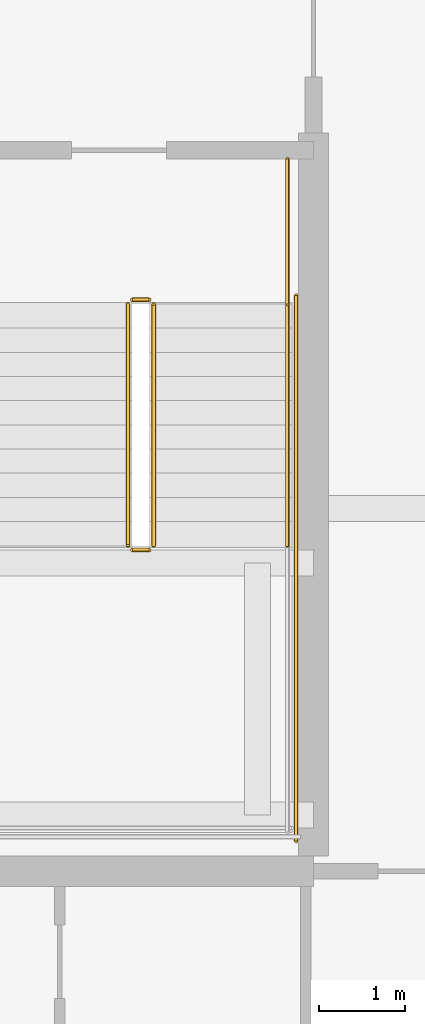
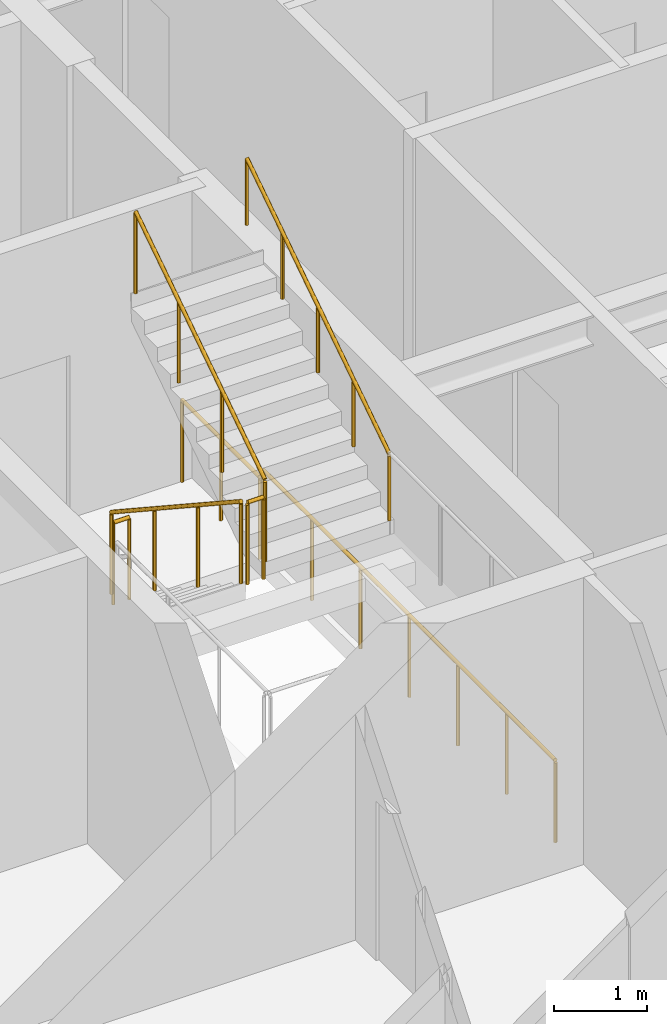
# One storey, part 37 of 38: 7 railings.
"""IFC4 building model written with IfcOpenShell, lengths in metres."""

from ifc_helpers import new_model, si_unit, direction, frame, origin, origin_2d, place, context, subcontext, project, spatial, circle, extrude, material, type_object, element, save


model = new_model("IFC4")

# Units and contexts
model_context = context("Model", 3, precision=1e-05, world=origin(), true_north=direction((0.0, 1.0)))
body_context = subcontext(model_context, "Body", "Model", "MODEL_VIEW")
ifc_project = project(units=[si_unit("LENGTHUNIT", "METRE"), si_unit("AREAUNIT", "SQUARE_METRE"), si_unit("VOLUMEUNIT", "CUBIC_METRE"), si_unit("PLANEANGLEUNIT", "RADIAN"), si_unit("MASSUNIT", "GRAM", prefix="KILO")], contexts=[model_context])

# Site, building, storey
site_placement = place(None, origin())
site = spatial("IfcSite", under=ifc_project, at=site_placement, CompositionType="ELEMENT")
building_placement = place(site_placement, origin())
building = spatial("IfcBuilding", under=site, at=building_placement, Name="Serunith Strait Residences", CompositionType="ELEMENT")
storey_placement = place(building_placement, frame((0.0, 0.0, 321.800048828125)))
storey = spatial("IfcBuildingStorey", under=building, at=storey_placement, Name="L80", CompositionType="ELEMENT", Elevation=321.800048828125)

# Railings
ifc_material = material(Name="Brushed stainless steel 316L", Category="steel")
railing_type_1 = type_object("IfcRailingType", Name="RLG-STAIR-GUARD", PredefinedType="BALUSTRADE", material=ifc_material)
railing_1_placement = place(storey_placement, frame((39.25, 23.3701171875, 0.18408203125)))
element("IfcRailing", 1, at=railing_1_placement, inside=storey, type_object=railing_type_1, Name="L80 ST-2 stair guard 1", PredefinedType="BALUSTRADE", context=body_context, shape_type="SweptSolid", body=[
    extrude(circle(Radius=0.02392578125, at=origin_2d()), frame((0.0, -0.001708984375, 1.0771484375), z_axis=(0.0, -0.835597507184, 0.549342157483), x_axis=(1.0, 0.0, 0.0)), (0.0, 0.0, 1.0), 3.346923828125),
    extrude(circle(Radius=0.02099609375, at=origin_2d()), origin(), (0.0, 0.0, 1.0), 1.050048828125),
    extrude(circle(Radius=0.02099609375, at=origin_2d()), frame((0.0, -0.933349609375, 0.613525390625)), (0.0, 0.0, 1.0), 1.050048828125),
    extrude(circle(Radius=0.02099609375, at=origin_2d()), frame((0.0, -1.86669921875, 1.227294921875)), (0.0, 0.0, 1.0), 1.050048828125),
    extrude(circle(Radius=0.02099609375, at=origin_2d()), frame((0.0, -2.800048828125, 1.8408203125)), (0.0, 0.0, 1.0), 1.050048828125),
])
railing_2_placement = place(storey_placement, frame((39.300048828125, 20.52001953125, 2.02490234375)))
element("IfcRailing", 2, at=railing_2_placement, inside=storey, type_object=railing_type_1, Name="L80 ST-2 stair guard 2", PredefinedType="BALUSTRADE", context=body_context, shape_type="SweptSolid", body=[
    extrude(circle(Radius=0.02392578125, at=origin_2d()), frame((0.001953125, 0.0, 1.076171875), z_axis=(1.0, 0.0, 0.0), x_axis=(0.0, 1.0, 0.0)), (0.0, 0.0, 1.0), 0.196044921875),
    extrude(circle(Radius=0.02099609375, at=origin_2d()), origin(), (0.0, 0.0, 1.0), 1.050048828125),
    extrude(circle(Radius=0.02099609375, at=origin_2d()), frame((0.199951171875, 0.0, 0.0)), (0.0, 0.0, 1.0), 1.050048828125),
])
railing_3_placement = place(storey_placement, frame((39.550048828125, 20.570068359375, 2.208984375)))
element("IfcRailing", 3, at=railing_3_placement, inside=storey, type_object=railing_type_1, Name="L80 ST-2 stair guard 6", PredefinedType="BALUSTRADE", context=body_context, shape_type="SweptSolid", body=[
    extrude(circle(Radius=0.02392578125, at=origin_2d()), frame((0.0, 0.001708984375, 1.0771484375), z_axis=(0.0, 0.83556406348, 0.549393024911), x_axis=(-1.0, 0.0, 0.0)), (0.0, 0.0, 1.0), 3.34716796875),
    extrude(circle(Radius=0.02099609375, at=origin_2d()), origin(), (0.0, 0.0, 1.0), 1.050048828125),
    extrude(circle(Radius=0.02099609375, at=origin_2d()), frame((0.0, 0.933349609375, 0.61376953125)), (0.0, 0.0, 1.0), 1.050048828125),
    extrude(circle(Radius=0.02099609375, at=origin_2d()), frame((0.0, 1.86669921875, 1.227294921875)), (0.0, 0.0, 1.0), 1.050048828125),
    extrude(circle(Radius=0.02099609375, at=origin_2d()), frame((0.0, 2.800048828125, 1.841064453125)), (0.0, 0.0, 1.0), 1.050048828125),
])
railing_4_placement = place(storey_placement, frame((39.300048828125, 23.419921875, 0.0)))
element("IfcRailing", 4, at=railing_4_placement, inside=storey, type_object=railing_type_1, Name="L80 ST-2 stair guard 7", PredefinedType="BALUSTRADE", context=body_context, shape_type="SweptSolid", body=[
    extrude(circle(Radius=0.02392578125, at=origin_2d()), frame((0.001953125, 0.0, 1.076171875), z_axis=(1.0, 0.0, 0.0), x_axis=(0.0, 1.0, 0.0)), (0.0, 0.0, 1.0), 0.196044921875),
    extrude(circle(Radius=0.02099609375, at=origin_2d()), origin(), (0.0, 0.0, 1.0), 1.050048828125),
    extrude(circle(Radius=0.02099609375, at=origin_2d()), frame((0.199951171875, 0.0, 0.0)), (0.0, 0.0, 1.0), 1.050048828125),
])
railing_5_placement = place(storey_placement, frame((41.10009765625, 25.050048828125, 0.0)))
element("IfcRailing", 5, at=railing_5_placement, inside=storey, type_object=railing_type_1, Name="L80 ST-2 stair guard 9", PredefinedType="BALUSTRADE", context=body_context, shape_type="SweptSolid", body=[
    extrude(circle(Radius=0.02392578125, at=origin_2d()), frame((0.0, -0.001953125, 1.076171875), z_axis=(0.0, -1.0, 0.0), x_axis=(1.0, 0.0, 0.0)), (0.0, 0.0, 1.0), 1.676025390625),
    extrude(circle(Radius=0.02099609375, at=origin_2d()), origin(), (0.0, 0.0, 1.0), 1.050048828125),
    extrude(circle(Radius=0.02099609375, at=origin_2d()), frame((0.0, -0.83984375, 0.0)), (0.0, 0.0, 1.0), 1.050048828125),
    extrude(circle(Radius=0.02099609375, at=origin_2d()), frame((0.0, -1.679931640625, 0.0)), (0.0, 0.0, 1.0), 1.050048828125),
])
railing_6_placement = place(storey_placement, frame((41.199951171875, 23.469970703125, 0.0)))
element("IfcRailing", 6, at=railing_6_placement, inside=storey, type_object=railing_type_1, Name="L80 ST-2 stair guard 11", PredefinedType="BALUSTRADE", context=body_context, shape_type="SweptSolid", body=[
    extrude(circle(Radius=0.02392578125, at=origin_2d()), frame((0.0, -0.001953125, 1.076171875), z_axis=(0.0, -1.0, 0.0), x_axis=(1.0, 0.0, 0.0)), (0.0, 0.0, 1.0), 6.316162109375),
    extrude(circle(Radius=0.02099609375, at=origin_2d()), origin(), (0.0, 0.0, 1.0), 1.050048828125),
    extrude(circle(Radius=0.02099609375, at=origin_2d()), frame((0.0, -1.05322265625, 0.0)), (0.0, 0.0, 1.0), 1.050048828125),
    extrude(circle(Radius=0.02099609375, at=origin_2d()), frame((0.0, -2.106689453125, 0.0)), (0.0, 0.0, 1.0), 1.050048828125),
    extrude(circle(Radius=0.02099609375, at=origin_2d()), frame((0.0, -3.16015625, 0.0)), (0.0, 0.0, 1.0), 1.050048828125),
    extrude(circle(Radius=0.02099609375, at=origin_2d()), frame((0.0, -4.21337890625, 0.0)), (0.0, 0.0, 1.0), 1.050048828125),
    extrude(circle(Radius=0.02099609375, at=origin_2d()), frame((0.0, -5.2666015625, 0.0)), (0.0, 0.0, 1.0), 1.050048828125),
    extrude(circle(Radius=0.02099609375, at=origin_2d()), frame((0.0, -6.320068359375, 0.0)), (0.0, 0.0, 1.0), 1.050048828125),
])
railing_type_2 = type_object("IfcRailingType", Name="RLG-STAIR-HR", PredefinedType="HANDRAIL", material=ifc_material)
railing_7_placement = place(storey_placement, frame((41.10009765625, 20.570068359375, 2.208984375)))
element("IfcRailing", 7, at=railing_7_placement, inside=storey, type_object=railing_type_2, Name="L80 ST-2 stair handrail 2", PredefinedType="HANDRAIL", context=body_context, shape_type="SweptSolid", body=[
    extrude(circle(Radius=0.02392578125, at=origin_2d()), frame((0.0, 0.001708984375, 0.876953125), z_axis=(0.0, 0.834940924727, 0.550339579002), x_axis=(-1.0, 0.0, 0.0)), (0.0, 0.0, 1.0), 3.6845703125),
    extrude(circle(Radius=0.02099609375, at=origin_2d()), origin(), (0.0, 0.0, 1.0), 0.849853515625),
    extrude(circle(Radius=0.02099609375, at=origin_2d()), frame((0.0, 0.77001953125, 0.507568359375)), (0.0, 0.0, 1.0), 0.849853515625),
    extrude(circle(Radius=0.02099609375, at=origin_2d()), frame((0.0, 1.5400390625, 1.01513671875)), (0.0, 0.0, 1.0), 0.849853515625),
    extrude(circle(Radius=0.02099609375, at=origin_2d()), frame((0.0, 2.309814453125, 1.5224609375)), (0.0, 0.0, 1.0), 0.849853515625),
    extrude(circle(Radius=0.02099609375, at=origin_2d()), frame((0.0, 3.079833984375, 2.030029296875)), (0.0, 0.0, 1.0), 0.849853515625),
])

save(model, "model.ifc")
